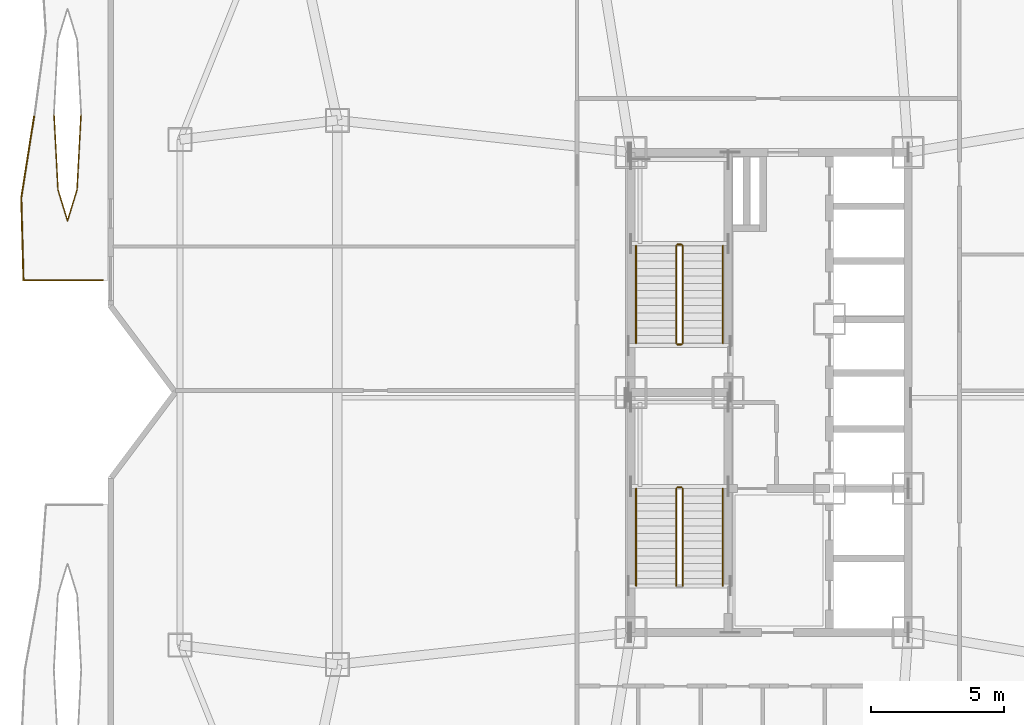
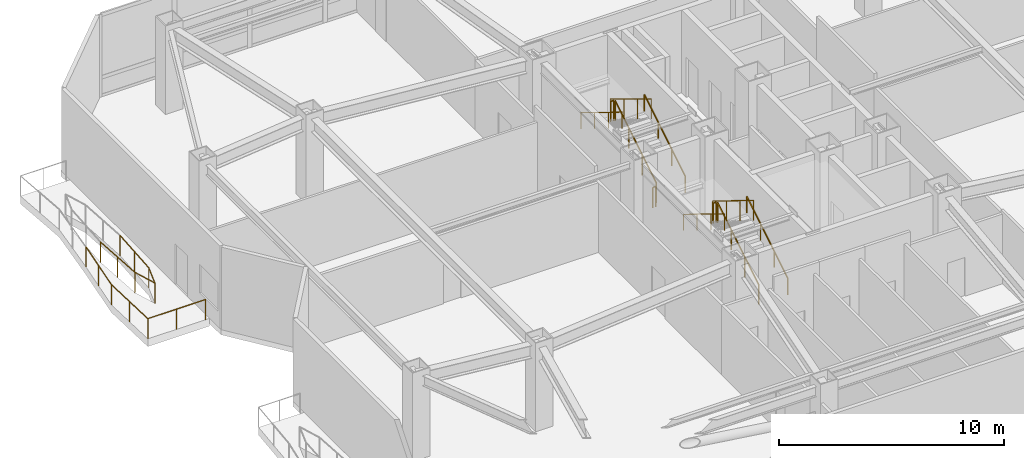
# One storey, part 14 of 16: 13 railings.
"""IFC4 building model written with IfcOpenShell, lengths in metres."""

from ifc_helpers import new_model, si_unit, direction, frame, origin, origin_2d, place, context, subcontext, project, spatial, circle, extrude, material, type_object, element, save


model = new_model("IFC4")

# Units and contexts
model_context = context("Model", 3, precision=1e-05, world=origin(), true_north=direction((0.0, 1.0)))
body_context = subcontext(model_context, "Body", "Model", "MODEL_VIEW")
ifc_project = project(units=[si_unit("LENGTHUNIT", "METRE"), si_unit("AREAUNIT", "SQUARE_METRE"), si_unit("VOLUMEUNIT", "CUBIC_METRE"), si_unit("PLANEANGLEUNIT", "RADIAN"), si_unit("MASSUNIT", "GRAM", prefix="KILO")], contexts=[model_context])

# Site, building, storey
site_placement = place(None, origin())
site = spatial("IfcSite", under=ifc_project, at=site_placement, CompositionType="ELEMENT")
building_placement = place(site_placement, origin())
building = spatial("IfcBuilding", under=site, at=building_placement, Name="Khamvora Tower", CompositionType="ELEMENT")
storey_placement = place(building_placement, frame((0.0, 0.0, 145.699951171875)))
storey = spatial("IfcBuildingStorey", under=building, at=storey_placement, Name="L37", CompositionType="ELEMENT", Elevation=145.699951171875)

# Railings
ifc_material_1 = material(Name="Stainless Steel 316 and Laminated Glass", Category="steel")
railing_type_1 = type_object("IfcRailingType", Name="RAL-GAL-1120", PredefinedType="GUARDRAIL", material=ifc_material_1)
railing_1_placement = place(storey_placement, frame((9.199951171875, 32.199951171875, 0.0)))
element("IfcRailing", 1, at=railing_1_placement, inside=storey, type_object=railing_type_1, Name="L37 lens gallery south perimeter guardrail WL2", PredefinedType="GUARDRAIL", context=body_context, shape_type="SweptSolid", body=[
    extrude(circle(Radius=0.02392578125, at=origin_2d()), frame((0.0, 0.0, 1.09619140625), z_axis=(-1.0, 0.0, 0.0), x_axis=(0.0, -1.0, 0.0)), (0.0, 0.0, 1.0), 2.967041015625),
    extrude(circle(Radius=0.02392578125, at=origin_2d()), frame((-2.967041015625, 0.0, 1.09619140625), z_axis=(-0.026451601196, 0.99965009518, 0.0), x_axis=(-0.99965009518, -0.026451601196, 0.0)), (0.0, 0.0, 1.0), 3.10107421875),
    extrude(circle(Radius=0.02392578125, at=origin_2d()), frame((-3.049072265625, 3.10009765625, 1.09619140625), z_axis=(0.155826743206, 0.987784402641, 0.0), x_axis=(-0.987784402641, 0.155826743206, 0.0)), (0.0, 0.0, 1.0), 3.13818359375),
    extrude(circle(Radius=0.02099609375, at=origin_2d()), origin(), (0.0, 0.0, 1.0), 1.072021484375),
    extrude(circle(Radius=0.02099609375, at=origin_2d()), frame((-1.4833984375, 0.0, 0.0)), (0.0, 0.0, 1.0), 1.072021484375),
    extrude(circle(Radius=0.02099609375, at=origin_2d()), frame((-2.967041015625, 0.0, 0.0)), (0.0, 0.0, 1.0), 1.072021484375),
    extrude(circle(Radius=0.02099609375, at=origin_2d()), frame((-3.008056640625, 1.550048828125, 0.0)), (0.0, 0.0, 1.0), 1.072021484375),
    extrude(circle(Radius=0.02099609375, at=origin_2d()), frame((-3.049072265625, 3.10009765625, 0.0)), (0.0, 0.0, 1.0), 1.072021484375),
    extrude(circle(Radius=0.02099609375, at=origin_2d()), frame((-2.8046875, 4.64990234375, 0.0)), (0.0, 0.0, 1.0), 1.072021484375),
    extrude(circle(Radius=0.02099609375, at=origin_2d()), frame((-2.56005859375, 6.199951171875, 0.0)), (0.0, 0.0, 1.0), 1.072021484375),
])
railing_2_placement = place(storey_placement, frame((7.381103515625, 38.39990234375, 0.0)))
element("IfcRailing", 2, at=railing_2_placement, inside=storey, type_object=railing_type_1, Name="L37 lens gallery void guardrail WL2B", PredefinedType="GUARDRAIL", context=body_context, shape_type="SweptSolid", body=[
    extrude(circle(Radius=0.02392578125, at=origin_2d()), frame((0.0, 0.0, 1.09619140625), z_axis=(0.052654602562, -0.998612784231, 0.0), x_axis=(0.998612784231, 0.052654602562, 0.0)), (0.0, 0.0, 1.0), 2.809814453125),
    extrude(circle(Radius=0.02392578125, at=origin_2d()), frame((0.14794921875, -2.805908203125, 1.09619140625), z_axis=(0.292871691974, -0.956151751575, 0.0), x_axis=(0.956151751575, 0.292871691974, 0.0)), (0.0, 0.0, 1.0), 1.21533203125),
    extrude(circle(Radius=0.02392578125, at=origin_2d()), frame((0.50390625, -3.968017578125, 1.09619140625), z_axis=(0.292871691974, 0.956151751575, 0.0), x_axis=(-0.956151751575, 0.292871691974, 0.0)), (0.0, 0.0, 1.0), 1.21533203125),
    extrude(circle(Radius=0.02392578125, at=origin_2d()), frame((0.85986328125, -2.805908203125, 1.09619140625), z_axis=(0.052654602562, 0.998612784231, 0.0), x_axis=(-0.998612784231, 0.052654602562, 0.0)), (0.0, 0.0, 1.0), 2.809814453125),
    extrude(circle(Radius=0.02099609375, at=origin_2d()), origin(), (0.0, 0.0, 1.0), 1.072021484375),
    extrude(circle(Radius=0.02099609375, at=origin_2d()), frame((0.073974609375, -1.40283203125, 0.0)), (0.0, 0.0, 1.0), 1.072021484375),
    extrude(circle(Radius=0.02099609375, at=origin_2d()), frame((0.14794921875, -2.805908203125, 0.0)), (0.0, 0.0, 1.0), 1.072021484375),
    extrude(circle(Radius=0.02099609375, at=origin_2d()), frame((0.50390625, -3.968017578125, 0.0)), (0.0, 0.0, 1.0), 1.072021484375),
    extrude(circle(Radius=0.02099609375, at=origin_2d()), frame((0.85986328125, -2.805908203125, 0.0)), (0.0, 0.0, 1.0), 1.072021484375),
    extrude(circle(Radius=0.02099609375, at=origin_2d()), frame((0.933837890625, -1.40283203125, 0.0)), (0.0, 0.0, 1.0), 1.072021484375),
    extrude(circle(Radius=0.02099609375, at=origin_2d()), frame((1.0078125, 0.0, 0.0)), (0.0, 0.0, 1.0), 1.072021484375),
])
ifc_material_2 = material(Name="Brushed Stainless Steel 316", Category="steel")
railing_type_2 = type_object("IfcRailingType", Name="RAL-HDR-920", PredefinedType="HANDRAIL", material=ifc_material_2)
railing_3_placement = place(storey_placement, frame((32.449951171875, 20.75, 0.17138671875)))
element("IfcRailing", 3, at=railing_3_placement, inside=storey, type_object=railing_type_2, Name="L37 ST-01 stair handrail 1", PredefinedType="HANDRAIL", context=body_context, shape_type="SweptSolid", body=[
    extrude(circle(Radius=0.02392578125, at=origin_2d()), frame((0.0, 0.0, 0.8759765625), z_axis=(0.0, 0.852824790078, 0.522197163366), x_axis=(-1.0, 0.0, 0.0)), (0.0, 0.0, 1.0), 4.26806640625),
    extrude(circle(Radius=0.02099609375, at=origin_2d()), origin(), (0.0, 0.0, 1.0), 0.851806640625),
    extrude(circle(Radius=0.02099609375, at=origin_2d()), frame((0.0, 1.21337890625, 0.742919921875)), (0.0, 0.0, 1.0), 0.851806640625),
    extrude(circle(Radius=0.02099609375, at=origin_2d()), frame((0.0, 2.426513671875, 1.48583984375)), (0.0, 0.0, 1.0), 0.851806640625),
    extrude(circle(Radius=0.02099609375, at=origin_2d()), frame((0.0, 3.639892578125, 2.228759765625)), (0.0, 0.0, 1.0), 0.851806640625),
])
railing_4_placement = place(storey_placement, frame((29.199951171875, 24.389892578125, 2.571533203125)))
element("IfcRailing", 4, at=railing_4_placement, inside=storey, type_object=railing_type_2, Name="L37 ST-01 stair handrail 2", PredefinedType="HANDRAIL", context=body_context, shape_type="SweptSolid", body=[
    extrude(circle(Radius=0.02392578125, at=origin_2d()), frame((0.0, 0.0, 0.8759765625), z_axis=(0.0, -0.852850264322, 0.5221555579), x_axis=(1.0, 0.0, 0.0)), (0.0, 0.0, 1.0), 4.267822265625),
    extrude(circle(Radius=0.02099609375, at=origin_2d()), origin(), (0.0, 0.0, 1.0), 0.851806640625),
    extrude(circle(Radius=0.02099609375, at=origin_2d()), frame((0.0, -1.21337890625, 0.742919921875)), (0.0, 0.0, 1.0), 0.851806640625),
    extrude(circle(Radius=0.02099609375, at=origin_2d()), frame((0.0, -2.426513671875, 1.485595703125)), (0.0, 0.0, 1.0), 0.851806640625),
    extrude(circle(Radius=0.02099609375, at=origin_2d()), frame((0.0, -3.639892578125, 2.228515625)), (0.0, 0.0, 1.0), 0.851806640625),
])
railing_5_placement = place(storey_placement, frame((32.449951171875, 29.85009765625, 0.17138671875)))
element("IfcRailing", 5, at=railing_5_placement, inside=storey, type_object=railing_type_2, Name="L37 ST-02 stair handrail 1", PredefinedType="HANDRAIL", context=body_context, shape_type="SweptSolid", body=[
    extrude(circle(Radius=0.02392578125, at=origin_2d()), frame((0.0, 0.0, 0.8759765625), z_axis=(0.0, 0.852824790078, 0.522197163366), x_axis=(-1.0, 0.0, 0.0)), (0.0, 0.0, 1.0), 4.26806640625),
    extrude(circle(Radius=0.02099609375, at=origin_2d()), origin(), (0.0, 0.0, 1.0), 0.851806640625),
    extrude(circle(Radius=0.02099609375, at=origin_2d()), frame((0.0, 1.21337890625, 0.742919921875)), (0.0, 0.0, 1.0), 0.851806640625),
    extrude(circle(Radius=0.02099609375, at=origin_2d()), frame((0.0, 2.426513671875, 1.48583984375)), (0.0, 0.0, 1.0), 0.851806640625),
    extrude(circle(Radius=0.02099609375, at=origin_2d()), frame((0.0, 3.639892578125, 2.228759765625)), (0.0, 0.0, 1.0), 0.851806640625),
])
railing_6_placement = place(storey_placement, frame((29.199951171875, 33.489990234375, 2.571533203125)))
element("IfcRailing", 6, at=railing_6_placement, inside=storey, type_object=railing_type_2, Name="L37 ST-02 stair handrail 2", PredefinedType="HANDRAIL", context=body_context, shape_type="SweptSolid", body=[
    extrude(circle(Radius=0.02392578125, at=origin_2d()), frame((0.0, 0.0, 0.8759765625), z_axis=(0.0, -0.852850264322, 0.5221555579), x_axis=(1.0, 0.0, 0.0)), (0.0, 0.0, 1.0), 4.267822265625),
    extrude(circle(Radius=0.02099609375, at=origin_2d()), origin(), (0.0, 0.0, 1.0), 0.851806640625),
    extrude(circle(Radius=0.02099609375, at=origin_2d()), frame((0.0, -1.21337890625, 0.742919921875)), (0.0, 0.0, 1.0), 0.851806640625),
    extrude(circle(Radius=0.02099609375, at=origin_2d()), frame((0.0, -2.426513671875, 1.485595703125)), (0.0, 0.0, 1.0), 0.851806640625),
    extrude(circle(Radius=0.02099609375, at=origin_2d()), frame((0.0, -3.639892578125, 2.228515625)), (0.0, 0.0, 1.0), 0.851806640625),
])
ifc_material_3 = material(Name="Stainless Steel 316", Category="steel")
railing_type_3 = type_object("IfcRailingType", Name="RAL-STG-1100", PredefinedType="GUARDRAIL", material=ifc_material_3)
railing_7_placement = place(storey_placement, frame((30.949951171875, 20.75, 0.17138671875)))
element("IfcRailing", 7, at=railing_7_placement, inside=storey, type_object=railing_type_3, Name="L37 ST-01 stair guard 1", PredefinedType="GUARDRAIL", context=body_context, shape_type="SweptSolid", body=[
    extrude(circle(Radius=0.02392578125, at=origin_2d()), frame((0.0, 0.0, 1.076171875), z_axis=(0.0, 0.852824790078, 0.522197163366), x_axis=(-1.0, 0.0, 0.0)), (0.0, 0.0, 1.0), 4.26806640625),
    extrude(circle(Radius=0.02099609375, at=origin_2d()), origin(), (0.0, 0.0, 1.0), 1.052001953125),
    extrude(circle(Radius=0.02099609375, at=origin_2d()), frame((0.0, 1.21337890625, 0.742919921875)), (0.0, 0.0, 1.0), 1.052001953125),
    extrude(circle(Radius=0.02099609375, at=origin_2d()), frame((0.0, 2.426513671875, 1.48583984375)), (0.0, 0.0, 1.0), 1.052001953125),
    extrude(circle(Radius=0.02099609375, at=origin_2d()), frame((0.0, 3.639892578125, 2.228759765625)), (0.0, 0.0, 1.0), 1.052001953125),
])
railing_8_placement = place(storey_placement, frame((30.89990234375, 24.43994140625, 2.400146484375)))
element("IfcRailing", 8, at=railing_8_placement, inside=storey, type_object=railing_type_3, Name="L37 ST-01 stair guard 2", PredefinedType="GUARDRAIL", context=body_context, shape_type="SweptSolid", body=[
    extrude(circle(Radius=0.02392578125, at=origin_2d()), frame((0.0, 0.0, 1.076171875), z_axis=(-1.0, 0.0, 0.0), x_axis=(0.0, -1.0, 0.0)), (0.0, 0.0, 1.0), 0.14990234375),
    extrude(circle(Radius=0.02099609375, at=origin_2d()), origin(), (0.0, 0.0, 1.0), 1.052001953125),
    extrude(circle(Radius=0.02099609375, at=origin_2d()), frame((-0.14990234375, 0.0, 0.0)), (0.0, 0.0, 1.0), 1.052001953125),
])
railing_9_placement = place(storey_placement, frame((30.699951171875, 24.389892578125, 2.571533203125)))
element("IfcRailing", 9, at=railing_9_placement, inside=storey, type_object=railing_type_3, Name="L37 ST-01 stair guard 3", PredefinedType="GUARDRAIL", context=body_context, shape_type="SweptSolid", body=[
    extrude(circle(Radius=0.02392578125, at=origin_2d()), frame((0.0, 0.0, 1.076171875), z_axis=(0.0, -0.852850264322, 0.5221555579), x_axis=(1.0, 0.0, 0.0)), (0.0, 0.0, 1.0), 4.267822265625),
    extrude(circle(Radius=0.02099609375, at=origin_2d()), origin(), (0.0, 0.0, 1.0), 1.052001953125),
    extrude(circle(Radius=0.02099609375, at=origin_2d()), frame((0.0, -1.21337890625, 0.742919921875)), (0.0, 0.0, 1.0), 1.052001953125),
    extrude(circle(Radius=0.02099609375, at=origin_2d()), frame((0.0, -2.426513671875, 1.485595703125)), (0.0, 0.0, 1.0), 1.052001953125),
    extrude(circle(Radius=0.02099609375, at=origin_2d()), frame((0.0, -3.639892578125, 2.228515625)), (0.0, 0.0, 1.0), 1.052001953125),
])
railing_10_placement = place(storey_placement, frame((30.949951171875, 29.85009765625, 0.17138671875)))
element("IfcRailing", 10, at=railing_10_placement, inside=storey, type_object=railing_type_3, Name="L37 ST-02 stair guard 1", PredefinedType="GUARDRAIL", context=body_context, shape_type="SweptSolid", body=[
    extrude(circle(Radius=0.02392578125, at=origin_2d()), frame((0.0, 0.0, 1.076171875), z_axis=(0.0, 0.852824790078, 0.522197163366), x_axis=(-1.0, 0.0, 0.0)), (0.0, 0.0, 1.0), 4.26806640625),
    extrude(circle(Radius=0.02099609375, at=origin_2d()), origin(), (0.0, 0.0, 1.0), 1.052001953125),
    extrude(circle(Radius=0.02099609375, at=origin_2d()), frame((0.0, 1.21337890625, 0.742919921875)), (0.0, 0.0, 1.0), 1.052001953125),
    extrude(circle(Radius=0.02099609375, at=origin_2d()), frame((0.0, 2.426513671875, 1.48583984375)), (0.0, 0.0, 1.0), 1.052001953125),
    extrude(circle(Radius=0.02099609375, at=origin_2d()), frame((0.0, 3.639892578125, 2.228759765625)), (0.0, 0.0, 1.0), 1.052001953125),
])
railing_11_placement = place(storey_placement, frame((30.89990234375, 33.5400390625, 2.400146484375)))
element("IfcRailing", 11, at=railing_11_placement, inside=storey, type_object=railing_type_3, Name="L37 ST-02 stair guard 2", PredefinedType="GUARDRAIL", context=body_context, shape_type="SweptSolid", body=[
    extrude(circle(Radius=0.02392578125, at=origin_2d()), frame((0.0, 0.0, 1.076171875), z_axis=(-1.0, 0.0, 0.0), x_axis=(0.0, -1.0, 0.0)), (0.0, 0.0, 1.0), 0.14990234375),
    extrude(circle(Radius=0.02099609375, at=origin_2d()), origin(), (0.0, 0.0, 1.0), 1.052001953125),
    extrude(circle(Radius=0.02099609375, at=origin_2d()), frame((-0.14990234375, 0.0, 0.0)), (0.0, 0.0, 1.0), 1.052001953125),
])
railing_12_placement = place(storey_placement, frame((30.699951171875, 33.489990234375, 2.571533203125)))
element("IfcRailing", 12, at=railing_12_placement, inside=storey, type_object=railing_type_3, Name="L37 ST-02 stair guard 3", PredefinedType="GUARDRAIL", context=body_context, shape_type="SweptSolid", body=[
    extrude(circle(Radius=0.02392578125, at=origin_2d()), frame((0.0, 0.0, 1.076171875), z_axis=(0.0, -0.852850264322, 0.5221555579), x_axis=(1.0, 0.0, 0.0)), (0.0, 0.0, 1.0), 4.267822265625),
    extrude(circle(Radius=0.02099609375, at=origin_2d()), origin(), (0.0, 0.0, 1.0), 1.052001953125),
    extrude(circle(Radius=0.02099609375, at=origin_2d()), frame((0.0, -1.21337890625, 0.742919921875)), (0.0, 0.0, 1.0), 1.052001953125),
    extrude(circle(Radius=0.02099609375, at=origin_2d()), frame((0.0, -2.426513671875, 1.485595703125)), (0.0, 0.0, 1.0), 1.052001953125),
    extrude(circle(Radius=0.02099609375, at=origin_2d()), frame((0.0, -3.639892578125, 2.228515625)), (0.0, 0.0, 1.0), 1.052001953125),
])
railing_13_placement = place(storey_placement, frame((30.89990234375, 29.800048828125, 0.0)))
element("IfcRailing", 13, at=railing_13_placement, inside=storey, type_object=railing_type_3, Name="L37 ST-02 stair guard 4", PredefinedType="GUARDRAIL", context=body_context, shape_type="SweptSolid", body=[
    extrude(circle(Radius=0.02392578125, at=origin_2d()), frame((0.0, 0.0, 1.076171875), z_axis=(-1.0, 0.0, 0.0), x_axis=(0.0, -1.0, 0.0)), (0.0, 0.0, 1.0), 0.14990234375),
    extrude(circle(Radius=0.02099609375, at=origin_2d()), origin(), (0.0, 0.0, 1.0), 1.052001953125),
    extrude(circle(Radius=0.02099609375, at=origin_2d()), frame((-0.14990234375, 0.0, 0.0)), (0.0, 0.0, 1.0), 1.052001953125),
])

save(model, "model.ifc")
